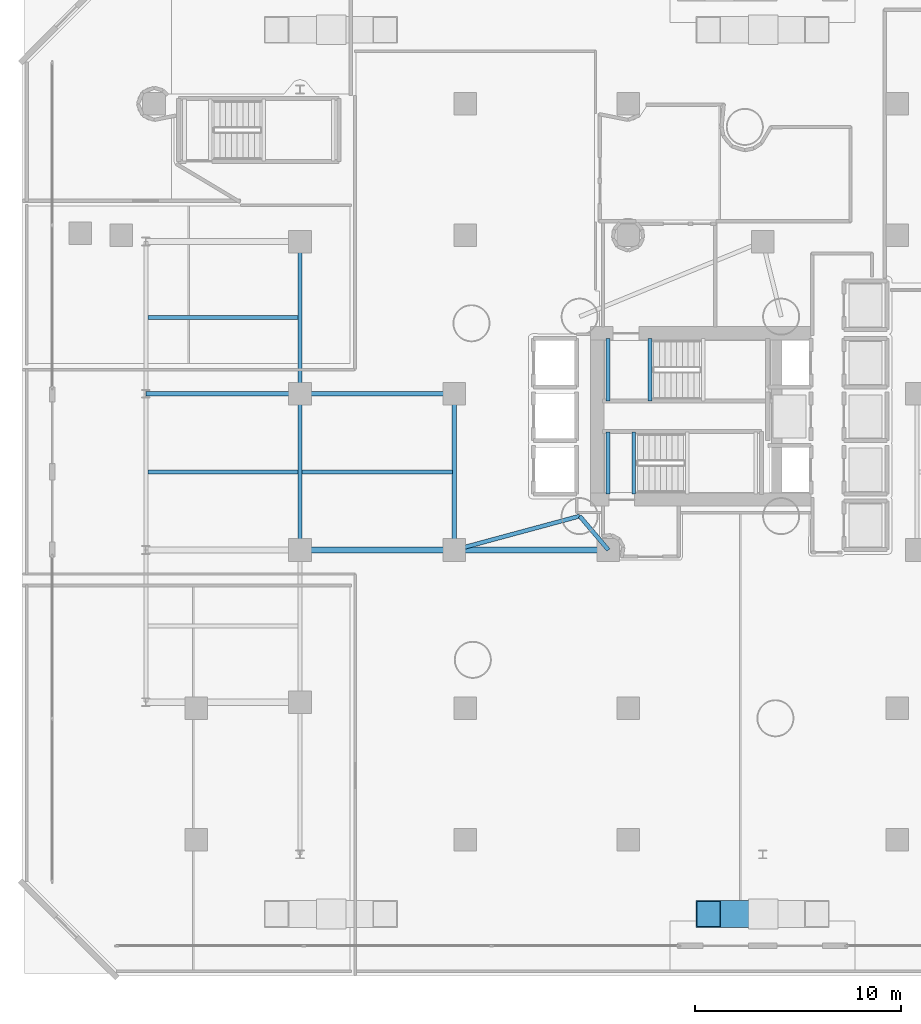
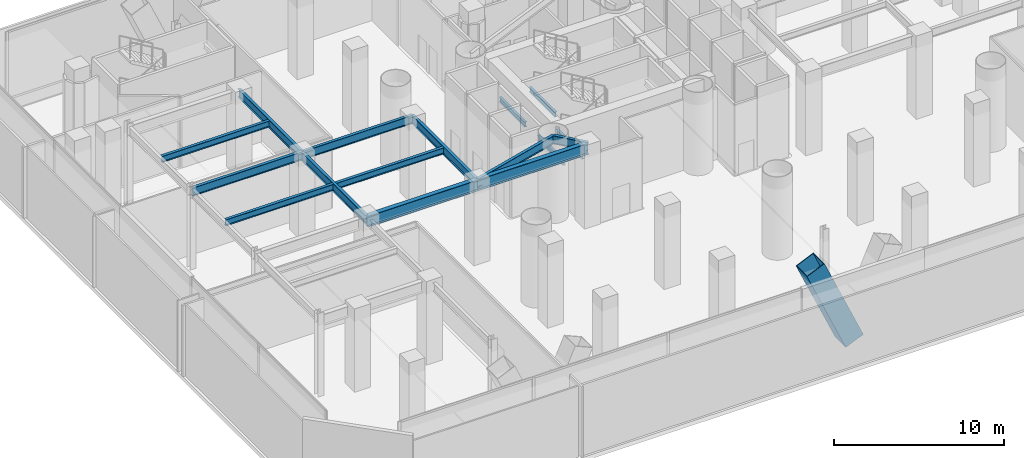
# One storey, part 11 of 40: 16 beams, 1 member.
"""IFC4 building model written with IfcOpenShell, lengths in metres."""

from ifc_helpers import new_model, si_unit, direction, frame, origin, origin_2d, place, context, subcontext, project, spatial, hollow_rectangle, i_section, extrude, material, material_profile, profile_set, type_object, element, save


model = new_model("IFC4")

# Units and contexts
model_context = context("Model", 3, precision=1e-05, world=origin(), true_north=direction((0.0, 1.0)))
body_context = subcontext(model_context, "Body", "Model", "MODEL_VIEW")
ifc_project = project(units=[si_unit("LENGTHUNIT", "METRE"), si_unit("AREAUNIT", "SQUARE_METRE"), si_unit("VOLUMEUNIT", "CUBIC_METRE"), si_unit("PLANEANGLEUNIT", "RADIAN"), si_unit("MASSUNIT", "GRAM", prefix="KILO")], contexts=[model_context])

# Site, building, storey
site_placement = place(None, origin())
site = spatial("IfcSite", under=ifc_project, at=site_placement, CompositionType="ELEMENT")
building_placement = place(site_placement, origin())
building = spatial("IfcBuilding", under=site, at=building_placement, Name="Qianvela Tower", CompositionType="ELEMENT")
storey_placement = place(building_placement, origin())
storey = spatial("IfcBuildingStorey", under=building, at=storey_placement, Name="L00", CompositionType="ELEMENT", Elevation=0.0)

# Beams
ifc_material_1 = material(Name="Steel Q355B", Category="steel")
ifc_material_profile_1 = material_profile(ifc_material_1, i_section(OverallWidth=0.175048828125, OverallDepth=0.35009765625, WebThickness=0.007080078125, FlangeThickness=0.010986328125, at=origin_2d()), Name="HN350x175x7x11")
ifc_profile_set_1 = profile_set([ifc_material_profile_1], Name="Steel Q355B")
beam_type_1 = type_object("IfcBeamType", Name="BM-HN350-JOIST", PredefinedType="JOIST", material=ifc_profile_set_1)
for number, where, z_axis, x_axis, name in (
    (1, (29.97998046875, 29.4599609375, 2.625), (0.0, 1.0, 0.0), (-1.0, 0.0, 0.0), "L00 Stair ST-1 Landing Support Beam 2.1"),
    (2, (32.02001953125, 29.4599609375, 2.625), (0.0, 1.0, 0.0), (-1.0, 0.0, 0.0), "L00 Stair ST-1 Landing Support Beam 2.2"),
    (3, (29.97998046875, 24.919921875, 2.625), (0.0, 1.0, 0.0), (-1.0, 0.0, 0.0), "L00 Stair ST-2 Landing Support Beam 2.1"),
    (4, (31.239990234375, 24.919921875, 2.625), (0.0, 1.0, 0.0), (-1.0, 0.0, 0.0), "L00 Stair ST-2 Landing Support Beam 2.2"),
):
    element("IfcBeam", number, at=place(storey_placement, frame(where, z_axis=z_axis, x_axis=x_axis)), inside=storey, type_object=beam_type_1, Name=name, PredefinedType="JOIST", context=body_context, shape_type="SweptSolid", body=[
        extrude(i_section(OverallWidth=0.175048828125, OverallDepth=0.35009765625, WebThickness=0.007080078125, FlangeThickness=0.010986328125, at=origin_2d()), origin(), (0.0, 0.0, 1.0), 3.02001953125),
    ])
ifc_material_2 = material(Name="Steel Q355B", Category="steel")
ifc_material_profile_2 = material_profile(ifc_material_2, i_section(OverallWidth=0.199951171875, OverallDepth=0.449951171875, WebThickness=0.009033203125, FlangeThickness=0.013916015625, at=origin_2d()), Name="HN450x200x9x14")
ifc_profile_set_2 = profile_set([ifc_material_profile_2], Name="Steel Q355B")
beam_type_2 = type_object("IfcBeamType", Name="BM-HN450-JOIST", PredefinedType="JOIST", material=ifc_profile_set_2)
for number, where, z_axis, x_axis, name in (
    (5, (7.595947265625, 26.0, 5.552978515625), (1.0, 0.0, 0.0), (0.0, 1.0, 0.0), "L00 Secondary Floor Joist 43"),
    (6, (7.595947265625, 33.5, 5.552978515625), (1.0, 0.0, 0.0), (0.0, 1.0, 0.0), "L00 Secondary Floor Joist 44"),
    (7, (15.095947265625, 26.0, 5.552978515625), (1.0, 0.0, 0.0), (0.0, 1.0, 0.0), "L00 Secondary Floor Joist 45"),
):
    element("IfcBeam", number, at=place(storey_placement, frame(where, z_axis=z_axis, x_axis=x_axis)), inside=storey, type_object=beam_type_2, Name=name, PredefinedType="JOIST", context=body_context, shape_type="SweptSolid", body=[
        extrude(i_section(OverallWidth=0.199951171875, OverallDepth=0.449951171875, WebThickness=0.009033203125, FlangeThickness=0.013916015625, at=origin_2d()), origin(), (0.0, 0.0, 1.0), 7.30810546875),
    ])
ifc_material_3 = material(Name="Steel Q355B", Category="steel")
ifc_material_profile_3 = material_profile(ifc_material_3, i_section(OverallWidth=0.199951171875, OverallDepth=0.60009765625, WebThickness=0.010986328125, FlangeThickness=0.01708984375, at=origin_2d()), Name="HN600x200x11x17")
ifc_profile_set_3 = profile_set([ifc_material_profile_3], Name="Steel Q355B")
beam_type_3 = type_object("IfcBeamType", Name="BM-HN600-GIRD", PredefinedType="BEAM", material=ifc_profile_set_3)
for number, where, z_axis, x_axis, name in (
    (8, (7.5, 29.800048828125, 5.47802734375), (1.0, 0.0, 0.0), (0.0, 1.0, 0.0), "L00 East-West Grid Girder 9"),
    (9, (15.0, 29.800048828125, 5.47802734375), (1.0, 0.0, 0.0), (0.0, 1.0, 0.0), "L00 East-West Grid Girder 10"),
):
    element("IfcBeam", number, at=place(storey_placement, frame(where, z_axis=z_axis, x_axis=x_axis)), inside=storey, type_object=beam_type_3, Name=name, PredefinedType="BEAM", context=body_context, shape_type="SweptSolid", body=[
        extrude(i_section(OverallWidth=0.199951171875, OverallDepth=0.60009765625, WebThickness=0.010986328125, FlangeThickness=0.01708984375, at=origin_2d()), origin(), (0.0, 0.0, 1.0), 7.5),
    ])
beam_1_placement = place(storey_placement, frame((15.0, 22.199951171875, 5.47802734375), z_axis=(0.0, 1.0, 0.0), x_axis=(-1.0, 0.0, 0.0)))
element("IfcBeam", 10, at=beam_1_placement, inside=storey, type_object=beam_type_3, Name="L00 North-South Grid Girder 21", PredefinedType="BEAM", context=body_context, shape_type="SweptSolid", body=[
    extrude(i_section(OverallWidth=0.199951171875, OverallDepth=0.60009765625, WebThickness=0.010986328125, FlangeThickness=0.01708984375, at=origin_2d()), origin(), (0.0, 0.0, 1.0), 7.60009765625),
])
beam_2_placement = place(storey_placement, frame((15.0, 29.800048828125, 5.47802734375), z_axis=(0.0, 1.0, 0.0), x_axis=(-1.0, 0.0, 0.0)))
element("IfcBeam", 11, at=beam_2_placement, inside=storey, type_object=beam_type_3, Name="L00 North-South Grid Girder 22", PredefinedType="BEAM", context=body_context, shape_type="SweptSolid", body=[
    extrude(i_section(OverallWidth=0.199951171875, OverallDepth=0.60009765625, WebThickness=0.010986328125, FlangeThickness=0.01708984375, at=origin_2d()), origin(), (0.0, 0.0, 1.0), 7.39990234375),
])
beam_3_placement = place(storey_placement, frame((22.5, 22.199951171875, 5.47802734375), z_axis=(0.0, 1.0, 0.0), x_axis=(-1.0, 0.0, 0.0)))
element("IfcBeam", 12, at=beam_3_placement, inside=storey, type_object=beam_type_3, Name="L00 North-South Grid Girder 24", PredefinedType="BEAM", context=body_context, shape_type="SweptSolid", body=[
    extrude(i_section(OverallWidth=0.199951171875, OverallDepth=0.60009765625, WebThickness=0.010986328125, FlangeThickness=0.01708984375, at=origin_2d()), origin(), (0.0, 0.0, 1.0), 7.60009765625),
])
beam_4_placement = place(storey_placement, frame((28.60009765625, 23.85009765625, 5.47802734375), z_axis=(0.646917812917, -0.762559730992, 0.0), x_axis=(0.762559730992, 0.646917812917, 0.0)))
element("IfcBeam", 13, at=beam_4_placement, inside=storey, type_object=beam_type_3, Name="L00 Core Tie Girder 37", PredefinedType="BEAM", context=body_context, shape_type="SweptSolid", body=[
    extrude(i_section(OverallWidth=0.199951171875, OverallDepth=0.60009765625, WebThickness=0.010986328125, FlangeThickness=0.01708984375, at=origin_2d()), origin(), (0.0, 0.0, 1.0), 2.1640625),
])
beam_5_placement = place(storey_placement, frame((28.60009765625, 23.85009765625, 5.47802734375), z_axis=(-0.96530472097, -0.26112601493, 0.0), x_axis=(0.26112601493, -0.96530472097, 0.0)))
element("IfcBeam", 14, at=beam_5_placement, inside=storey, type_object=beam_type_3, Name="L00 Core Tie Girder 38", PredefinedType="BEAM", context=body_context, shape_type="SweptSolid", body=[
    extrude(i_section(OverallWidth=0.199951171875, OverallDepth=0.60009765625, WebThickness=0.010986328125, FlangeThickness=0.01708984375, at=origin_2d()), origin(), (0.0, 0.0, 1.0), 6.3193359375),
])
ifc_material_4 = material(Name="Steel Q355B", Category="steel")
ifc_material_profile_4 = material_profile(ifc_material_4, i_section(OverallWidth=0.300048828125, OverallDepth=0.800048828125, WebThickness=0.013916015625, FlangeThickness=0.02587890625, at=origin_2d()), Name="HN800x300x14x26")
ifc_profile_set_4 = profile_set([ifc_material_profile_4], Name="Steel Q355B")
beam_type_4 = type_object("IfcBeamType", Name="BM-HN800-SPAND", PredefinedType="SPANDREL", material=ifc_profile_set_4)
for number, where, z_axis, x_axis, name in (
    (15, (15.0, 22.199951171875, 5.3779296875), (1.0, 0.0, 0.0), (0.0, 1.0, 0.0), "L00 East-West Grid Girder 4"),
    (16, (22.5, 22.199951171875, 5.3779296875), (1.0, 0.0, 0.0), (0.0, 1.0, 0.0), "L00 East-West Grid Girder 5"),
):
    element("IfcBeam", number, at=place(storey_placement, frame(where, z_axis=z_axis, x_axis=x_axis)), inside=storey, type_object=beam_type_4, Name=name, PredefinedType="SPANDREL", context=body_context, shape_type="SweptSolid", body=[
        extrude(i_section(OverallWidth=0.300048828125, OverallDepth=0.800048828125, WebThickness=0.013916015625, FlangeThickness=0.02587890625, at=origin_2d()), origin(), (0.0, 0.0, 1.0), 7.5),
    ])

# Member
ifc_material_5 = material(Name="Steel Q420GJC", Category="steel")
ifc_material_profile_5 = material_profile(ifc_material_5, hollow_rectangle(XDim=1.300048828125, YDim=1.300048828125, WallThickness=0.044921875, at=origin_2d()), Name="VBOX-1300x1300x45")
ifc_profile_set_5 = profile_set([ifc_material_profile_5], Name="Steel Q420GJC")
member_type = type_object("IfcMemberType", Name="MBR-VCOL-1300", PredefinedType="POST", material=ifc_profile_set_5)
member_placement = place(storey_placement, frame((37.5, 4.5, 0.0), z_axis=(-0.402662474024, 0.0, 0.91534853035), x_axis=(0.0, -1.0, 0.0)))
element("IfcMember", 17, at=member_placement, inside=storey, type_object=member_type, Name="L00 Concourse Inclined V-Column VC-S2 Leg L", PredefinedType="POST", context=body_context, shape_type="SweptSolid", body=[
    extrude(hollow_rectangle(XDim=1.300048828125, YDim=1.300048828125, WallThickness=0.044921875, at=origin_2d()), origin(), (0.0, 0.0, 1.0), 6.554931640625),
])

save(model, "model.ifc")
